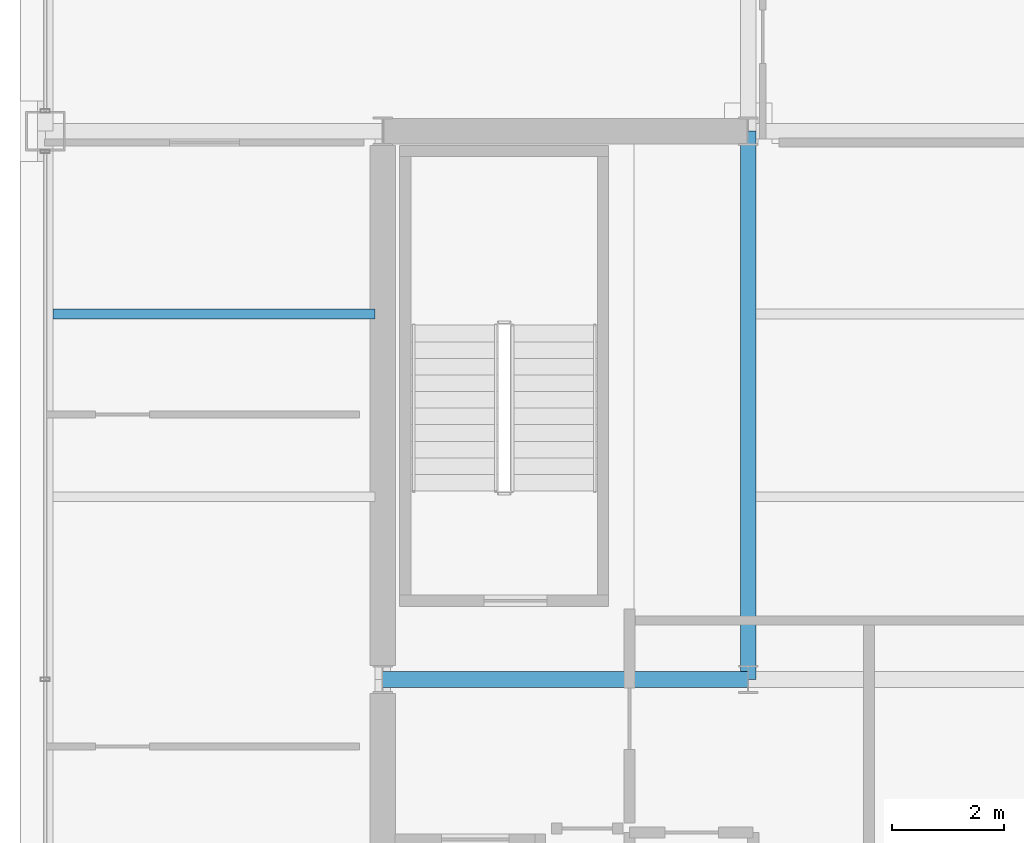
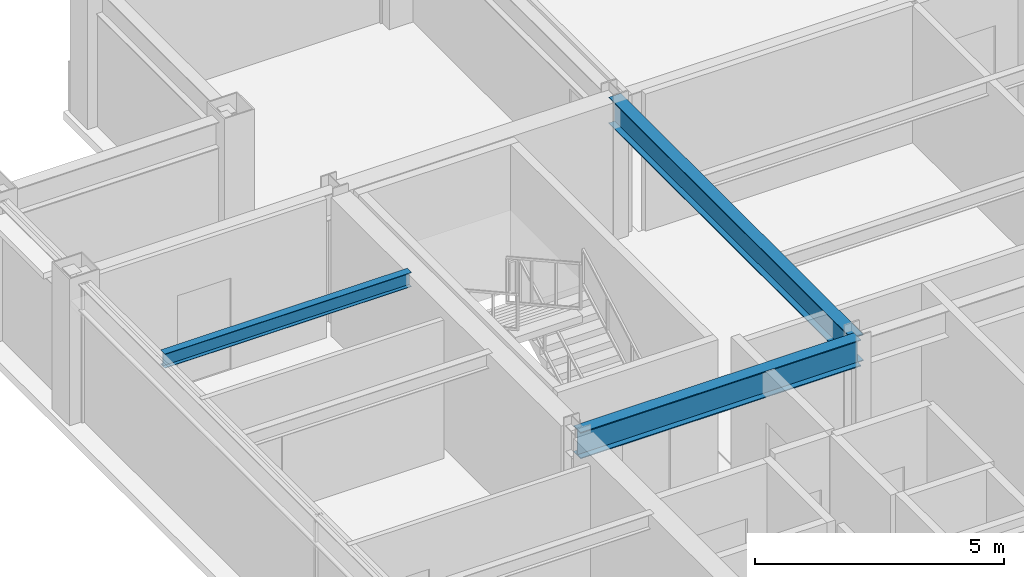
# One storey, part 9 of 30: 3 beams.
"""IFC4 building model written with IfcOpenShell, lengths in metres."""

from ifc_helpers import new_model, si_unit, direction, frame, origin, origin_2d, place, context, subcontext, project, spatial, i_section, extrude, material, material_profile, profile_set, type_object, element, save


model = new_model("IFC4")

# Units and contexts
model_context = context("Model", 3, precision=1e-05, world=origin(), true_north=direction((0.0, 1.0)))
body_context = subcontext(model_context, "Body", "Model", "MODEL_VIEW")
ifc_project = project(units=[si_unit("LENGTHUNIT", "METRE"), si_unit("AREAUNIT", "SQUARE_METRE"), si_unit("VOLUMEUNIT", "CUBIC_METRE"), si_unit("PLANEANGLEUNIT", "RADIAN"), si_unit("MASSUNIT", "GRAM", prefix="KILO")], contexts=[model_context])

# Site, building, storey
site_placement = place(None, origin())
site = spatial("IfcSite", under=ifc_project, at=site_placement, CompositionType="ELEMENT")
building_placement = place(site_placement, origin())
building = spatial("IfcBuilding", under=site, at=building_placement, Name="Brelmoor Portico Tower", CompositionType="ELEMENT")
storey_placement = place(building_placement, frame((0.0, 0.0, 187.5)))
storey = spatial("IfcBuildingStorey", under=building, at=storey_placement, Name="L49", CompositionType="ELEMENT", Elevation=187.5)

# Beams
ifc_material = material(Name="Steel Q355B", Category="steel")
ifc_material_profile_1 = material_profile(ifc_material, i_section(OverallWidth=0.175048828125, OverallDepth=0.35009765625, WebThickness=0.007080078125, FlangeThickness=0.010986328125, at=origin_2d()), Name="HN 350x175x7x11")
ifc_profile_set_1 = profile_set([ifc_material_profile_1], Name="Steel Q355B")
beam_type_1 = type_object("IfcBeamType", Name="BM-JS-350", PredefinedType="JOIST", material=ifc_profile_set_1)
beam_1_placement = place(storey_placement, frame((-20.409912109375, 6.5, 3.22509765625), z_axis=(1.0, 0.0, 0.0), x_axis=(0.0, 1.0, 0.0)))
element("IfcBeam", 1, at=beam_1_placement, inside=storey, type_object=beam_type_1, Name="L49 Secondary Wing Joist JS-W08", PredefinedType="JOIST", context=body_context, shape_type="SweptSolid", body=[
    extrude(i_section(OverallWidth=0.175048828125, OverallDepth=0.35009765625, WebThickness=0.007080078125, FlangeThickness=0.010986328125, at=origin_2d()), origin(), (0.0, 0.0, 1.0), 5.719970703125),
])
ifc_material_profile_2 = material_profile(ifc_material, i_section(OverallWidth=0.280029296875, OverallDepth=0.64990234375, WebThickness=0.012939453125, FlangeThickness=0.02197265625, at=origin_2d()), Name="HN 650x280x13x22")
ifc_profile_set_2 = profile_set([ifc_material_profile_2], Name="Steel Q355B")
beam_type_2 = type_object("IfcBeamType", Name="BM-PG-650", PredefinedType="BEAM", material=ifc_profile_set_2)
beam_2_placement = place(storey_placement, frame((-8.050048828125, 0.0, 3.074951171875), z_axis=(0.0, 1.0, 0.0), x_axis=(-1.0, 0.0, 0.0)))
element("IfcBeam", 2, at=beam_2_placement, inside=storey, type_object=beam_type_2, Name="L49 Primary Floor Girder PG-04", PredefinedType="BEAM", context=body_context, shape_type="SweptSolid", body=[
    extrude(i_section(OverallWidth=0.280029296875, OverallDepth=0.64990234375, WebThickness=0.012939453125, FlangeThickness=0.02197265625, at=origin_2d()), origin(), (0.0, 0.0, 1.0), 9.75),
])
beam_3_placement = place(storey_placement, frame((-14.550048828125, 0.0, 3.074951171875), z_axis=(1.0, 0.0, 0.0), x_axis=(0.0, 1.0, 0.0)))
element("IfcBeam", 3, at=beam_3_placement, inside=storey, type_object=beam_type_2, Name="L49 Primary Floor Girder PG-16", PredefinedType="BEAM", context=body_context, shape_type="SweptSolid", body=[
    extrude(i_section(OverallWidth=0.280029296875, OverallDepth=0.64990234375, WebThickness=0.012939453125, FlangeThickness=0.02197265625, at=origin_2d()), origin(), (0.0, 0.0, 1.0), 6.5),
])

save(model, "model.ifc")
